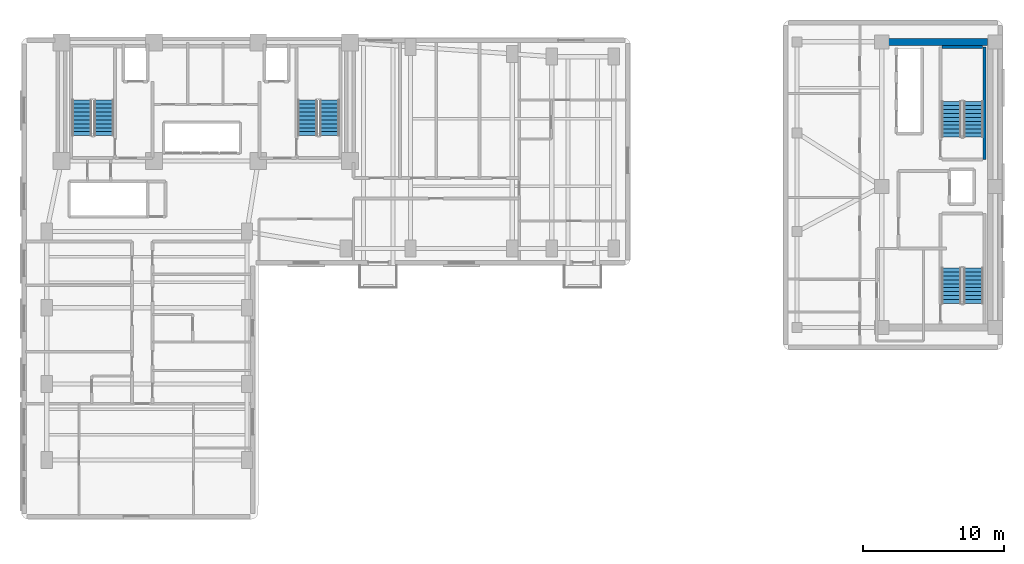
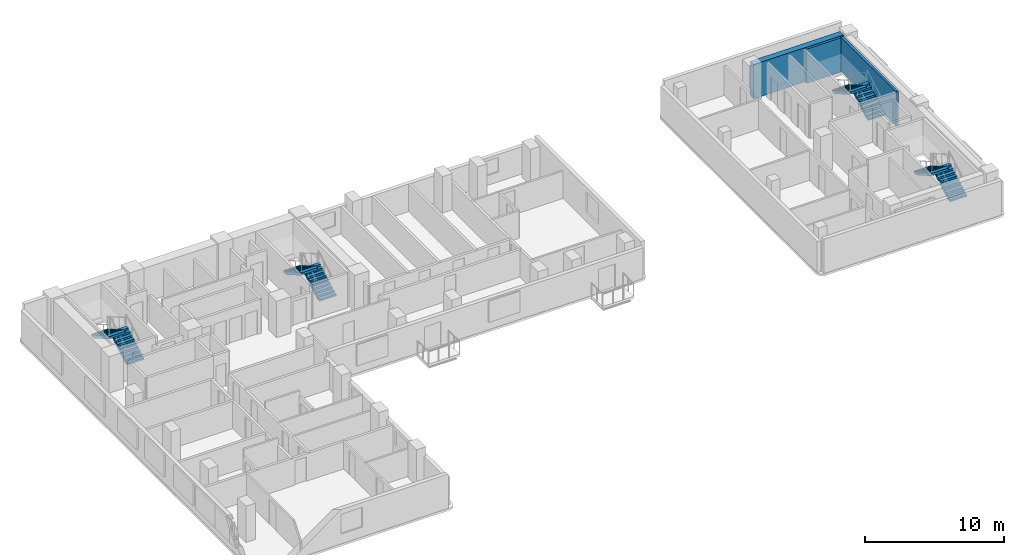
# One storey, part 7 of 10: 8 stair flights, 3 walls, 4 elements without a shape of their own.
"""IFC4 building model written with IfcOpenShell, lengths in metres."""

import ifcopenshell
import ifcopenshell.guid

model = None  # the IFC model being written
_history = None  # IfcOwnerHistory: only IFC2X3 demands one
_inside = {}  # id of a spatial element -> (the spatial element, [elements in it])
_under = {}  # id of a project, library or spatial element -> (it, [spatial elements below it])
_declared = {}  # id of a project -> (the project, [libraries it declares])
_typed = {}  # id of a type object -> (the type object, [elements of that type])
_made_of = {}  # id of a material, layer set ... -> (it, [elements and type objects made of it])


def new_model(schema):
    """Start an empty IFC model of exactly this schema.

    Asked for "IFC4X3", IfcOpenShell would pick the latest addendum, in which some entities
    have other attributes; the version numbers below select the first issue.
    IFC2X3 requires an IfcOwnerHistory on every rooted entity: one is made here for all.
    """
    global model, _history
    if schema == "IFC4X3":
        model = ifcopenshell.file(schema_version=(4, 3, 0, 0))
    else:
        model = ifcopenshell.file(schema=schema)
    _inside.clear()
    _under.clear()
    _declared.clear()
    _typed.clear()
    _made_of.clear()
    _history = None
    if model.schema == "IFC2X3":
        org = make("IfcOrganization", Name="unknown")
        user = make(
            "IfcPersonAndOrganization",
            ThePerson=make("IfcPerson", FamilyName="unknown"),
            TheOrganization=org,
        )
        app = make(
            "IfcApplication",
            ApplicationDeveloper=org,
            Version="unknown",
            ApplicationFullName="unknown",
            ApplicationIdentifier="unknown",
        )
        _history = make(
            "IfcOwnerHistory",
            OwningUser=user,
            OwningApplication=app,
            ChangeAction="ADDED",
            CreationDate=0,
        )
    return model


def make(cls, **values):
    """One entity of the class cls with the attributes given. An attribute that is None is left unset."""
    return model.create_entity(
        cls, **{name: value for name, value in values.items() if value is not None}
    )


def rooted(cls, **values):
    """An entity with a GlobalId (a new one), such as an element, a storey or a relation."""
    return make(cls, GlobalId=ifcopenshell.guid.new(), OwnerHistory=_history, **values)


def si_unit(unit_type, name, prefix=None):
    """IfcSIUnit, for example si_unit("LENGTHUNIT", "METRE", prefix="MILLI")."""
    return make("IfcSIUnit", UnitType=unit_type, Prefix=prefix, Name=name)


def assignment(units):
    """IfcUnitAssignment: the units of a project."""
    return None if units is None else make("IfcUnitAssignment", Units=units)


def point(xyz):
    """IfcCartesianPoint."""
    return None if xyz is None else make("IfcCartesianPoint", Coordinates=xyz)


def direction(xyz):
    """IfcDirection."""
    return None if xyz is None else make("IfcDirection", DirectionRatios=xyz)


def frame(location, z_axis=None, x_axis=None):
    """IfcAxis2Placement3D, a coordinate frame: its origin and axes. An axis left out is left unset."""
    return make(
        "IfcAxis2Placement3D",
        Location=point(location),
        Axis=direction(z_axis),
        RefDirection=direction(x_axis),
    )


def frame_2d(location, x_axis=None):
    """IfcAxis2Placement2D, a coordinate frame in the plane: its origin and x axis."""
    return make(
        "IfcAxis2Placement2D", Location=point(location), RefDirection=direction(x_axis)
    )


def origin():
    """The frame at (0, 0, 0) with its axes left unset."""
    return frame((0.0, 0.0, 0.0))


def place(relative_to, where):
    """IfcLocalPlacement: puts the frame where relative to a parent placement (None: the world)."""
    return make(
        "IfcLocalPlacement", PlacementRelTo=relative_to, RelativePlacement=where
    )


def context(
    kind, dimensions, precision=None, world=None, true_north=None, identifier=None
):
    """IfcGeometricRepresentationContext, for example the 3D "Model" context."""
    return make(
        "IfcGeometricRepresentationContext",
        ContextIdentifier=identifier,
        ContextType=kind,
        CoordinateSpaceDimension=dimensions,
        Precision=precision,
        WorldCoordinateSystem=world,
        TrueNorth=true_north,
    )


def subcontext(parent, identifier, kind, view, scale=None):
    """IfcGeometricRepresentationSubContext, for example "Body" below "Model"."""
    return make(
        "IfcGeometricRepresentationSubContext",
        ContextIdentifier=identifier,
        ContextType=kind,
        ParentContext=parent,
        TargetScale=scale,
        TargetView=view,
    )


def project(units=None, contexts=None):
    """IfcProject with its units and contexts."""
    return rooted(
        "IfcProject",
        Name="project",
        RepresentationContexts=contexts,
        UnitsInContext=assignment(units),
    )


def spatial(cls, under=None, at=None, **own):
    """A site, building, storey or space (cls), placed at a placement, below another one or the project."""
    s = rooted(cls, ObjectPlacement=at, **own)
    if under is not None:
        _under.setdefault(under.id(), (under, []))[1].append(s)
    return s


def polyline(points):
    """IfcPolyline through the points."""
    return make("IfcPolyline", Points=[point(p) for p in points])


def profile(cls, at=None, kind="AREA", **sizes):
    """A parametric profile (cls). Its sizes go by their IFC names, for example OverallWidth=200.0."""
    return make(cls, ProfileType=kind, Position=at, **sizes)


def rectangle(**sizes):
    """IfcRectangleProfileDef."""
    return profile("IfcRectangleProfileDef", **sizes)


def outline(outer, holes=None, kind="AREA"):
    """IfcArbitraryClosedProfileDef: a profile drawn as a closed curve; with holes, ...WithVoids."""
    if holes is None:
        return make("IfcArbitraryClosedProfileDef", ProfileType=kind, OuterCurve=outer)
    return make(
        "IfcArbitraryProfileDefWithVoids",
        ProfileType=kind,
        OuterCurve=outer,
        InnerCurves=holes,
    )


def extrude(swept, where, along, depth):
    """IfcExtrudedAreaSolid: the profile swept, set in the frame where, extruded along a direction by depth."""
    return make(
        "IfcExtrudedAreaSolid",
        SweptArea=swept,
        Position=where,
        ExtrudedDirection=direction(along),
        Depth=depth,
    )


def shape(context_of_items, identifier, shape_type, items):
    """IfcShapeRepresentation: the items that make up one representation, for example the "Body"."""
    return make(
        "IfcShapeRepresentation",
        ContextOfItems=context_of_items,
        RepresentationIdentifier=identifier,
        RepresentationType=shape_type,
        Items=items,
    )


def material(Name=None, Category=None):
    """IfcMaterial."""
    return make("IfcMaterial", Name=Name, Category=Category)


def layer(
    of_material, thickness, ventilated=None, Name=None, Category=None, Priority=None
):
    """IfcMaterialLayer: one layer of a wall or slab, of a material (None: an air gap)."""
    return make(
        "IfcMaterialLayer",
        Material=of_material,
        LayerThickness=thickness,
        IsVentilated=ventilated,
        Name=Name,
        Category=Category,
        Priority=Priority,
    )


def layer_set(layers, Name=None):
    """IfcMaterialLayerSet."""
    return make("IfcMaterialLayerSet", MaterialLayers=layers, LayerSetName=Name)


def made_of(thing, what):
    """Note that an element or type object is made of a material, layer set ...; save() writes the relation."""
    if what is not None:
        _made_of.setdefault(what.id(), (what, []))[1].append(thing)
    return thing


def type_object(cls, material=None, **own):
    """A type object (cls), such as IfcWallType, which elements share."""
    return made_of(rooted(cls, **own), material)


def element(
    cls,
    number,
    at=None,
    inside=None,
    cuts=None,
    type_object=None,
    material=None,
    context=None,
    identifier="Body",
    shape_type=None,
    held_by="IfcProductDefinitionShape",
    body=None,
    shapes=None,
    **own,
):
    """One element of the class cls, such as IfcWall. Its Tag is "e" and its number.

    at: its placement. inside: the storey or other place that contains it. cuts: it is an
    opening in that element (IfcRelVoidsElement). A single representation is given by context,
    identifier, shape_type and body (its items); several are given by shapes. held_by: the class
    of the entity that holds the representations. save() writes the other relations.
    """
    e = rooted(cls, Tag="e%d" % number, ObjectPlacement=at, **own)
    if body is not None:
        shapes = [shape(context, identifier, shape_type, body)]
    if shapes is not None:
        e.Representation = make(held_by, Representations=shapes)
    if inside is not None:
        _inside.setdefault(inside.id(), (inside, []))[1].append(e)
    if cuts is not None:
        rooted(
            "IfcRelVoidsElement", RelatingBuildingElement=cuts, RelatedOpeningElement=e
        )
    if type_object is not None:
        _typed.setdefault(type_object.id(), (type_object, []))[1].append(e)
    return made_of(e, material)


def aggregate(whole, parts):
    """IfcRelAggregates: a whole, such as a stair, and the parts it consists of."""
    return rooted("IfcRelAggregates", RelatingObject=whole, RelatedObjects=parts)


def save(model, path):
    """Write the relations noted so far, then the file.

    IfcRelAggregates (storeys below a building ...), IfcRelContainedInSpatialStructure (elements
    in a storey), IfcRelDefinesByType, IfcRelAssociatesMaterial and IfcRelDeclares: one each for
    every whole, place, type object, material and project.
    """
    for whole, parts in _under.values():
        aggregate(whole, parts)
    for where, things in _inside.values():
        rooted(
            "IfcRelContainedInSpatialStructure",
            RelatedElements=things,
            RelatingStructure=where,
        )
    for kind, things in _typed.values():
        rooted("IfcRelDefinesByType", RelatedObjects=things, RelatingType=kind)
    for what, things in _made_of.values():
        rooted("IfcRelAssociatesMaterial", RelatedObjects=things, RelatingMaterial=what)
    for by, libraries in _declared.values():
        rooted("IfcRelDeclares", RelatingContext=by, RelatedDefinitions=libraries)
    model.write(path)


model = new_model("IFC4")

# Units and contexts
model_context = context("Model", 3, precision=1e-05, world=origin(), true_north=direction((0.0, 1.0)))
body_context = subcontext(model_context, "Body", "Model", "MODEL_VIEW")
ifc_project = project(units=[si_unit("LENGTHUNIT", "METRE"), si_unit("AREAUNIT", "SQUARE_METRE"), si_unit("VOLUMEUNIT", "CUBIC_METRE"), si_unit("PLANEANGLEUNIT", "RADIAN"), si_unit("MASSUNIT", "GRAM", prefix="KILO")], contexts=[model_context])

# Site, building, storey
site_placement = place(None, origin())
site = spatial("IfcSite", under=ifc_project, at=site_placement, CompositionType="ELEMENT")
building_placement = place(site_placement, origin())
building = spatial("IfcBuilding", under=site, at=building_placement, Name="Kuzgunbayir Cultural Tower", CompositionType="ELEMENT")
storey_placement = place(building_placement, frame((0.0, 0.0, 93.0)))
storey = spatial("IfcBuildingStorey", under=building, at=storey_placement, Name="L26", CompositionType="ELEMENT", Elevation=93.0)

# Walls
ifc_material_1 = material(Name="Concrete C40/50", Category="concrete")
ifc_layer_1 = layer(ifc_material_1, 0.199951171875)
ifc_layer_set_1 = layer_set([ifc_layer_1], Name="Concrete C40/50")
wall_type_1 = type_object("IfcWallType", Name="WAL-STAIR-RC-200", PredefinedType="SHEAR", material=ifc_layer_set_1)
wall_1_placement = place(storey_placement, frame((71.8798828125, 33.919921875, 0.0), z_axis=(0.0, 0.0, 1.0), x_axis=(0.0, 1.0, 0.0)))
element("IfcWall", 1, at=wall_1_placement, inside=storey, type_object=wall_type_1, Name="L26 Stair ST-4 East Structural Wall", PredefinedType="SHEAR", context=body_context, shape_type="SweptSolid", body=[
    extrude(rectangle(XDim=7.9599609375, YDim=0.199951171875, at=frame_2d((3.97998046875, 0.0))), origin(), (0.0, 0.0, 1.0), 3.02001953125),
])
wall_2_placement = place(storey_placement, frame((68.8798828125, 41.8798828125, 0.0), z_axis=(0.0, 0.0, 1.0), x_axis=(1.0, 0.0, 0.0)))
element("IfcWall", 2, at=wall_2_placement, inside=storey, type_object=wall_type_1, Name="L26 Stair ST-4 North Structural Wall", PredefinedType="SHEAR", context=body_context, shape_type="SweptSolid", body=[
    extrude(rectangle(XDim=2.880126953125, YDim=0.199951171875, at=frame_2d((1.43994140625, 0.0))), origin(), (0.0, 0.0, 1.0), 3.02001953125),
])
ifc_material_2 = material(Name="Concrete C60/75", Category="concrete")
ifc_layer_2 = layer(ifc_material_2, 0.5)
ifc_layer_set_2 = layer_set([ifc_layer_2], Name="Concrete C60/75")
wall_type_2 = type_object("IfcWallType", Name="WAL-T2-CORE-500", PredefinedType="SHEAR", material=ifc_layer_set_2)
wall_3_placement = place(storey_placement, frame((64.60009765625, 42.25, 0.0), z_axis=(0.0, 0.0, 1.0), x_axis=(1.0, 0.0, 0.0)))
element("IfcWall", 3, at=wall_3_placement, inside=storey, type_object=wall_type_2, Name="L26 Companion Core North Shear Wall", PredefinedType="SHEAR", context=body_context, shape_type="SweptSolid", body=[
    extrude(rectangle(XDim=7.5, YDim=0.5, at=frame_2d((3.75, 0.0))), origin(), (0.0, 0.0, 1.0), 3.02001953125),
])

# Stair, stair flights
stair_type = type_object("IfcStairType", Name="STR-EXIT-CORE", PredefinedType="HALF_TURN_STAIR", material=ifc_material_1)
stair_1_placement = place(storey_placement, origin())
stair_1 = element("IfcStair", 4, at=stair_1_placement, inside=storey, type_object=stair_type, Name="L26 ST-1", PredefinedType="HALF_TURN_STAIR")
stair_flight_type = type_object("IfcStairFlightType", Name="STRF-RC-140", PredefinedType="STRAIGHT", material=ifc_material_1)
stair_flight_1_placement = place(storey_placement, frame((9.4599609375, 35.60009765625, 0.0), z_axis=(0.0, 0.0, 1.0), x_axis=(0.0, 1.0, 0.0)))
stair_flight_1 = element("IfcStairFlight", 5, at=stair_flight_1_placement, type_object=stair_flight_type, Name="ST-1 flight 1", NumberOfRisers=10, NumberOfTreads=9, PredefinedType="STRAIGHT", RiserHeight=0.16, TreadLength=0.28, context=body_context, shape_type="SweptSolid", body=[
    extrude(outline(polyline([(0.0, 0.0), (0.0, 0.159912109375), (0.280029296875, 0.159912109375), (0.280029296875, 0.320068359375), (0.56005859375, 0.320068359375), (0.56005859375, 0.47998046875), (0.840087890625, 0.47998046875), (0.840087890625, 0.639892578125), (1.1201171875, 0.639892578125), (1.1201171875, 0.800048828125), (1.39990234375, 0.800048828125), (1.39990234375, 0.9599609375), (1.679931640625, 0.9599609375), (1.679931640625, 1.1201171875), (1.9599609375, 1.1201171875), (1.9599609375, 1.280029296875), (2.239990234375, 1.280029296875), (2.239990234375, 1.43994140625), (2.52001953125, 1.43994140625), (2.52001953125, 1.60009765625), (2.52001953125, 1.232666015625), (0.362548828125, 0.0), (0.0, 0.0)])), frame((0.0, 0.699951171875, 0.0), z_axis=(0.0, -1.0, 0.0), x_axis=(1.0, 0.0, 0.0)), (0.0, 0.0, 1.0), 1.39990234375),
])
stair_flight_2_placement = place(storey_placement, frame((7.89990234375, 38.1201171875, 1.60009765625), z_axis=(0.0, 0.0, 1.0), x_axis=(0.0, -1.0, 0.0)))
stair_flight_2 = element("IfcStairFlight", 6, at=stair_flight_2_placement, type_object=stair_flight_type, Name="ST-1 flight 2", NumberOfRisers=10, NumberOfTreads=9, PredefinedType="STRAIGHT", RiserHeight=0.16, TreadLength=0.28, context=body_context, shape_type="SweptSolid", body=[
    extrude(outline(polyline([(0.0, 0.0), (0.0, 0.159912109375), (0.280029296875, 0.159912109375), (0.280029296875, 0.320068359375), (0.56005859375, 0.320068359375), (0.56005859375, 0.47998046875), (0.840087890625, 0.47998046875), (0.840087890625, 0.639892578125), (1.1201171875, 0.639892578125), (1.1201171875, 0.800048828125), (1.39990234375, 0.800048828125), (1.39990234375, 0.9599609375), (1.679931640625, 0.9599609375), (1.679931640625, 1.1201171875), (1.9599609375, 1.1201171875), (1.9599609375, 1.280029296875), (2.239990234375, 1.280029296875), (2.239990234375, 1.43994140625), (2.52001953125, 1.43994140625), (2.52001953125, 1.60009765625), (2.52001953125, 1.232666015625), (0.362548828125, 0.0), (0.0, 0.0)])), frame((0.0, 0.699951171875, 0.0), z_axis=(0.0, -1.0, 0.0), x_axis=(1.0, 0.0, 0.0)), (0.0, 0.0, 1.0), 1.39990234375),
])
aggregate(stair_1, [stair_flight_1, stair_flight_2])

stair_2_placement = place(storey_placement, origin())
stair_2 = element("IfcStair", 7, at=stair_2_placement, inside=storey, type_object=stair_type, Name="L26 ST-2", PredefinedType="HALF_TURN_STAIR")
stair_flight_3_placement = place(storey_placement, frame((25.4599609375, 35.60009765625, 0.0), z_axis=(0.0, 0.0, 1.0), x_axis=(0.0, 1.0, 0.0)))
stair_flight_3 = element("IfcStairFlight", 8, at=stair_flight_3_placement, type_object=stair_flight_type, Name="ST-2 flight 1", NumberOfRisers=10, NumberOfTreads=9, PredefinedType="STRAIGHT", RiserHeight=0.16, TreadLength=0.28, context=body_context, shape_type="SweptSolid", body=[
    extrude(outline(polyline([(0.0, 0.0), (0.0, 0.159912109375), (0.280029296875, 0.159912109375), (0.280029296875, 0.320068359375), (0.56005859375, 0.320068359375), (0.56005859375, 0.47998046875), (0.840087890625, 0.47998046875), (0.840087890625, 0.639892578125), (1.1201171875, 0.639892578125), (1.1201171875, 0.800048828125), (1.39990234375, 0.800048828125), (1.39990234375, 0.9599609375), (1.679931640625, 0.9599609375), (1.679931640625, 1.1201171875), (1.9599609375, 1.1201171875), (1.9599609375, 1.280029296875), (2.239990234375, 1.280029296875), (2.239990234375, 1.43994140625), (2.52001953125, 1.43994140625), (2.52001953125, 1.60009765625), (2.52001953125, 1.232666015625), (0.362548828125, 0.0), (0.0, 0.0)])), frame((0.0, 0.699951171875, 0.0), z_axis=(0.0, -1.0, 0.0), x_axis=(1.0, 0.0, 0.0)), (0.0, 0.0, 1.0), 1.39990234375),
])
stair_flight_4_placement = place(storey_placement, frame((23.89990234375, 38.1201171875, 1.60009765625), z_axis=(0.0, 0.0, 1.0), x_axis=(0.0, -1.0, 0.0)))
stair_flight_4 = element("IfcStairFlight", 9, at=stair_flight_4_placement, type_object=stair_flight_type, Name="ST-2 flight 2", NumberOfRisers=10, NumberOfTreads=9, PredefinedType="STRAIGHT", RiserHeight=0.16, TreadLength=0.28, context=body_context, shape_type="SweptSolid", body=[
    extrude(outline(polyline([(0.0, 0.0), (0.0, 0.159912109375), (0.280029296875, 0.159912109375), (0.280029296875, 0.320068359375), (0.56005859375, 0.320068359375), (0.56005859375, 0.47998046875), (0.840087890625, 0.47998046875), (0.840087890625, 0.639892578125), (1.1201171875, 0.639892578125), (1.1201171875, 0.800048828125), (1.39990234375, 0.800048828125), (1.39990234375, 0.9599609375), (1.679931640625, 0.9599609375), (1.679931640625, 1.1201171875), (1.9599609375, 1.1201171875), (1.9599609375, 1.280029296875), (2.239990234375, 1.280029296875), (2.239990234375, 1.43994140625), (2.52001953125, 1.43994140625), (2.52001953125, 1.60009765625), (2.52001953125, 1.232666015625), (0.362548828125, 0.0), (0.0, 0.0)])), frame((0.0, 0.699951171875, 0.0), z_axis=(0.0, -1.0, 0.0), x_axis=(1.0, 0.0, 0.0)), (0.0, 0.0, 1.0), 1.39990234375),
])
aggregate(stair_2, [stair_flight_3, stair_flight_4])

stair_3_placement = place(storey_placement, origin())
stair_3 = element("IfcStair", 10, at=stair_3_placement, inside=storey, type_object=stair_type, Name="L26 ST-3", PredefinedType="HALF_TURN_STAIR")
stair_flight_5_placement = place(storey_placement, frame((71.10009765625, 23.699951171875, 0.0), z_axis=(0.0, 0.0, 1.0), x_axis=(0.0, 1.0, 0.0)))
stair_flight_5 = element("IfcStairFlight", 11, at=stair_flight_5_placement, type_object=stair_flight_type, Name="ST-3 flight 1", NumberOfRisers=10, NumberOfTreads=9, PredefinedType="STRAIGHT", RiserHeight=0.16, TreadLength=0.28, context=body_context, shape_type="SweptSolid", body=[
    extrude(outline(polyline([(0.0, 0.0), (0.0, 0.159912109375), (0.280029296875, 0.159912109375), (0.280029296875, 0.320068359375), (0.56005859375, 0.320068359375), (0.56005859375, 0.47998046875), (0.840087890625, 0.47998046875), (0.840087890625, 0.639892578125), (1.1201171875, 0.639892578125), (1.1201171875, 0.800048828125), (1.39990234375, 0.800048828125), (1.39990234375, 0.9599609375), (1.679931640625, 0.9599609375), (1.679931640625, 1.1201171875), (1.9599609375, 1.1201171875), (1.9599609375, 1.280029296875), (2.239990234375, 1.280029296875), (2.239990234375, 1.43994140625), (2.52001953125, 1.43994140625), (2.52001953125, 1.60009765625), (2.52001953125, 1.232666015625), (0.362548828125, 0.0), (0.0, 0.0)])), frame((0.0, 0.699951171875, 0.0), z_axis=(0.0, -1.0, 0.0), x_axis=(1.0, 0.0, 0.0)), (0.0, 0.0, 1.0), 1.39990234375),
])
stair_flight_6_placement = place(storey_placement, frame((69.5400390625, 26.219970703125, 1.60009765625), z_axis=(0.0, 0.0, 1.0), x_axis=(0.0, -1.0, 0.0)))
stair_flight_6 = element("IfcStairFlight", 12, at=stair_flight_6_placement, type_object=stair_flight_type, Name="ST-3 flight 2", NumberOfRisers=10, NumberOfTreads=9, PredefinedType="STRAIGHT", RiserHeight=0.16, TreadLength=0.28, context=body_context, shape_type="SweptSolid", body=[
    extrude(outline(polyline([(0.0, 0.0), (0.0, 0.159912109375), (0.280029296875, 0.159912109375), (0.280029296875, 0.320068359375), (0.56005859375, 0.320068359375), (0.56005859375, 0.47998046875), (0.840087890625, 0.47998046875), (0.840087890625, 0.639892578125), (1.1201171875, 0.639892578125), (1.1201171875, 0.800048828125), (1.39990234375, 0.800048828125), (1.39990234375, 0.9599609375), (1.679931640625, 0.9599609375), (1.679931640625, 1.1201171875), (1.9599609375, 1.1201171875), (1.9599609375, 1.280029296875), (2.239990234375, 1.280029296875), (2.239990234375, 1.43994140625), (2.52001953125, 1.43994140625), (2.52001953125, 1.60009765625), (2.52001953125, 1.232666015625), (0.362548828125, 0.0), (0.0, 0.0)])), frame((0.0, 0.699951171875, 0.0), z_axis=(0.0, -1.0, 0.0), x_axis=(1.0, 0.0, 0.0)), (0.0, 0.0, 1.0), 1.39990234375),
])
aggregate(stair_3, [stair_flight_5, stair_flight_6])

stair_4_placement = place(storey_placement, origin())
stair_4 = element("IfcStair", 13, at=stair_4_placement, inside=storey, type_object=stair_type, Name="L26 ST-4", PredefinedType="HALF_TURN_STAIR")
stair_flight_7_placement = place(storey_placement, frame((71.10009765625, 35.5, 0.0), z_axis=(0.0, 0.0, 1.0), x_axis=(0.0, 1.0, 0.0)))
stair_flight_7 = element("IfcStairFlight", 14, at=stair_flight_7_placement, type_object=stair_flight_type, Name="ST-4 flight 1", NumberOfRisers=10, NumberOfTreads=9, PredefinedType="STRAIGHT", RiserHeight=0.16, TreadLength=0.28, context=body_context, shape_type="SweptSolid", body=[
    extrude(outline(polyline([(0.0, 0.0), (0.0, 0.159912109375), (0.280029296875, 0.159912109375), (0.280029296875, 0.320068359375), (0.56005859375, 0.320068359375), (0.56005859375, 0.47998046875), (0.840087890625, 0.47998046875), (0.840087890625, 0.639892578125), (1.1201171875, 0.639892578125), (1.1201171875, 0.800048828125), (1.39990234375, 0.800048828125), (1.39990234375, 0.9599609375), (1.679931640625, 0.9599609375), (1.679931640625, 1.1201171875), (1.9599609375, 1.1201171875), (1.9599609375, 1.280029296875), (2.239990234375, 1.280029296875), (2.239990234375, 1.43994140625), (2.52001953125, 1.43994140625), (2.52001953125, 1.60009765625), (2.52001953125, 1.232666015625), (0.362548828125, 0.0), (0.0, 0.0)])), frame((0.0, 0.699951171875, 0.0), z_axis=(0.0, -1.0, 0.0), x_axis=(1.0, 0.0, 0.0)), (0.0, 0.0, 1.0), 1.39990234375),
])
stair_flight_8_placement = place(storey_placement, frame((69.5400390625, 38.02001953125, 1.60009765625), z_axis=(0.0, 0.0, 1.0), x_axis=(0.0, -1.0, 0.0)))
stair_flight_8 = element("IfcStairFlight", 15, at=stair_flight_8_placement, type_object=stair_flight_type, Name="ST-4 flight 2", NumberOfRisers=10, NumberOfTreads=9, PredefinedType="STRAIGHT", RiserHeight=0.16, TreadLength=0.28, context=body_context, shape_type="SweptSolid", body=[
    extrude(outline(polyline([(0.0, 0.0), (0.0, 0.159912109375), (0.280029296875, 0.159912109375), (0.280029296875, 0.320068359375), (0.56005859375, 0.320068359375), (0.56005859375, 0.47998046875), (0.840087890625, 0.47998046875), (0.840087890625, 0.639892578125), (1.1201171875, 0.639892578125), (1.1201171875, 0.800048828125), (1.39990234375, 0.800048828125), (1.39990234375, 0.9599609375), (1.679931640625, 0.9599609375), (1.679931640625, 1.1201171875), (1.9599609375, 1.1201171875), (1.9599609375, 1.280029296875), (2.239990234375, 1.280029296875), (2.239990234375, 1.43994140625), (2.52001953125, 1.43994140625), (2.52001953125, 1.60009765625), (2.52001953125, 1.232666015625), (0.362548828125, 0.0), (0.0, 0.0)])), frame((0.0, 0.699951171875, 0.0), z_axis=(0.0, -1.0, 0.0), x_axis=(1.0, 0.0, 0.0)), (0.0, 0.0, 1.0), 1.39990234375),
])
aggregate(stair_4, [stair_flight_7, stair_flight_8])

save(model, "model.ifc")
